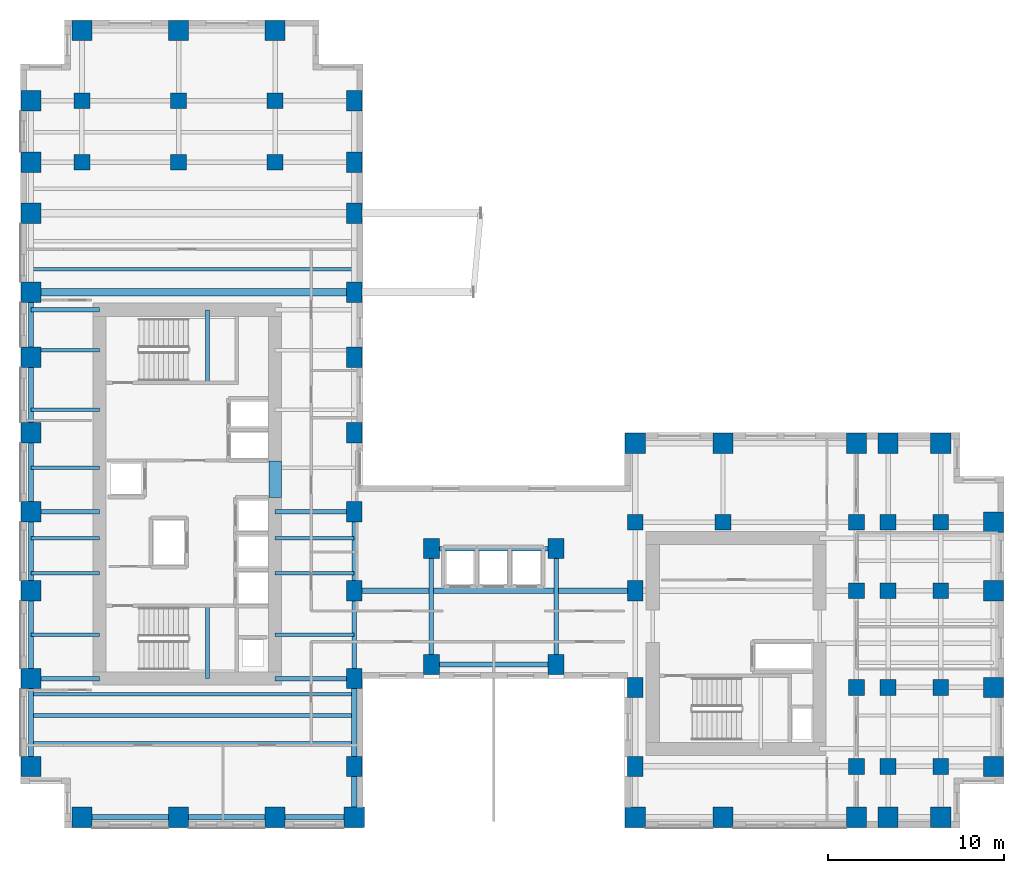
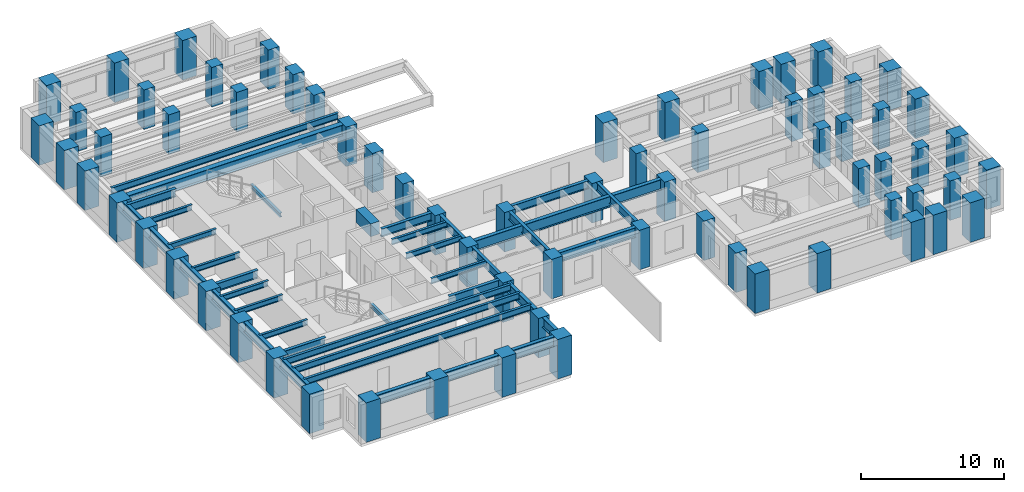
# One storey, part 1 of 14: 68 columns, 40 beams.
"""IFC4 building model written with IfcOpenShell, lengths in metres."""

from ifc_helpers import new_model, si_unit, direction, frame, origin, origin_2d, place, context, subcontext, project, spatial, rectangle, i_section, extrude, source, transform, mapped, material, material_profile, profile_set, type_object, element, save


model = new_model("IFC4")

# Units and contexts
model_context = context("Model", 3, precision=1e-05, world=origin(), true_north=direction((0.0, 1.0)))
body_context = subcontext(model_context, "Body", "Model", "MODEL_VIEW")
ifc_project = project(units=[si_unit("LENGTHUNIT", "METRE"), si_unit("AREAUNIT", "SQUARE_METRE"), si_unit("VOLUMEUNIT", "CUBIC_METRE"), si_unit("PLANEANGLEUNIT", "RADIAN"), si_unit("MASSUNIT", "GRAM", prefix="KILO")], contexts=[model_context])

# Site, building, storey
site_placement = place(None, origin())
site = spatial("IfcSite", under=ifc_project, at=site_placement, CompositionType="ELEMENT")
building_placement = place(site_placement, origin())
building = spatial("IfcBuilding", under=site, at=building_placement, Name="Kharzan Plaza Tower", CompositionType="ELEMENT")
storey_placement = place(building_placement, frame((0.0, 0.0, 124.199951171875)))
storey = spatial("IfcBuildingStorey", under=building, at=storey_placement, Name="L33", CompositionType="ELEMENT", Elevation=124.199951171875)

# Columns
ifc_material_1 = material(Name="Concrete C50/60", Category="concrete")
ifc_material_profile_1 = material_profile(ifc_material_1, rectangle(XDim=0.89990234375, YDim=0.89990234375, at=origin_2d()), Name="RC-IC900x900")
ifc_profile_set_1 = profile_set([ifc_material_profile_1], Name="Concrete C50/60")
column_type_1 = type_object("IfcColumnType", Name="COL-IC900", PredefinedType="COLUMN", material=ifc_profile_set_1)
shared_shape_1 = source(origin(), body_context, "Body", "SweptSolid", [
    extrude(rectangle(XDim=0.89990234375, YDim=0.89990234375, at=origin_2d()), origin(), (0.0, 0.0, 1.0), 3.380126953125),
])
for number, where, z_axis, x_axis, name in (
    (1, (47.60009765625, 13.5, 0.0), (0.0, 0.0, 1.0), (1.0, 0.0, 0.0), "L33 Structural Column TCBI-135"),
    (2, (47.60009765625, 3.5, 0.0), (0.0, 0.0, 1.0), (1.0, 0.0, 0.0), "L33 Structural Column TCBI-35"),
    (3, (47.60009765625, 8.0, 0.0), (0.0, 0.0, 1.0), (1.0, 0.0, 0.0), "L33 Structural Column TCBI-80"),
    (4, (35.0, 17.39990234375, 0.0), (0.0, 0.0, 1.0), (1.0, 0.0, 0.0), "L33 Structural Column TCBN-350-174"),
    (5, (40.0, 17.39990234375, 0.0), (0.0, 0.0, 1.0), (1.0, 0.0, 0.0), "L33 Structural Column TCBN-400-174"),
    (6, (47.60009765625, 17.39990234375, 0.0), (0.0, 0.0, 1.0), (1.0, 0.0, 0.0), "L33 Structural Column TCBN-476-174"),
    (7, (49.39990234375, 13.5, 0.0), (0.0, 0.0, 1.0), (1.0, 0.0, 0.0), "L33 Structural Column TCE-494-135"),
    (8, (49.39990234375, 17.39990234375, 0.0), (0.0, 0.0, 1.0), (1.0, 0.0, 0.0), "L33 Structural Column TCE-494-174"),
    (9, (49.39990234375, 3.5, 0.0), (0.0, 0.0, 1.0), (1.0, 0.0, 0.0), "L33 Structural Column TCE-494-35"),
    (10, (49.39990234375, 8.0, 0.0), (0.0, 0.0, 1.0), (1.0, 0.0, 0.0), "L33 Structural Column TCE-494-80"),
    (11, (52.39990234375, 13.5, 0.0), (0.0, 0.0, 1.0), (1.0, 0.0, 0.0), "L33 Structural Column TCE-524-135"),
    (12, (52.39990234375, 17.39990234375, 0.0), (0.0, 0.0, 1.0), (1.0, 0.0, 0.0), "L33 Structural Column TCE-524-174"),
    (13, (52.39990234375, 3.5, 0.0), (0.0, 0.0, 1.0), (1.0, 0.0, 0.0), "L33 Structural Column TCE-524-35"),
    (14, (52.39990234375, 8.0, 0.0), (0.0, 0.0, 1.0), (1.0, 0.0, 0.0), "L33 Structural Column TCE-524-80"),
    (15, (14.5, 37.89990234375, 0.0), (0.0, 0.0, 1.0), (1.0, 0.0, 0.0), "L33 Structural Column TCN-145-379"),
    (16, (14.5, 41.39990234375, 0.0), (0.0, 0.0, 1.0), (1.0, 0.0, 0.0), "L33 Structural Column TCN-145-414"),
    (17, (3.5, 37.89990234375, 0.0), (0.0, 0.0, 1.0), (1.0, 0.0, 0.0), "L33 Structural Column TCN-35-379"),
    (18, (3.5, 41.39990234375, 0.0), (0.0, 0.0, 1.0), (1.0, 0.0, 0.0), "L33 Structural Column TCN-35-414"),
    (19, (9.0, 37.89990234375, 0.0), (0.0, 0.0, 1.0), (1.0, 0.0, 0.0), "L33 Structural Column TCN-90-379"),
    (20, (9.0, 41.39990234375, 0.0), (0.0, 0.0, 1.0), (1.0, 0.0, 0.0), "L33 Structural Column TCN-90-414"),
):
    element("IfcColumn", number, at=place(storey_placement, frame(where, z_axis=z_axis, x_axis=x_axis)), inside=storey, type_object=column_type_1, Name=name, PredefinedType="COLUMN", context=body_context, shape_type="MappedRepresentation", body=[
        mapped(shared_shape_1, transform((0.0, 0.0, 0.0), x_axis=(1.0, 0.0, 0.0), y_axis=(0.0, 1.0, 0.0), z_axis=(0.0, 0.0, 1.0))),
    ])
ifc_material_2 = material(Name="Concrete C60/75", Category="concrete")
ifc_material_profile_2 = material_profile(ifc_material_2, rectangle(XDim=0.89990234375, YDim=1.14990234375, at=origin_2d()), Name="RC-SC1150x900")
ifc_profile_set_2 = profile_set([ifc_material_profile_2], Name="Concrete C60/75")
column_type_2 = type_object("IfcColumnType", Name="COL-SC1150", PredefinedType="COLUMN", material=ifc_profile_set_2)
shared_shape_2 = source(origin(), body_context, "Body", "SweptSolid", [
    extrude(rectangle(XDim=0.89990234375, YDim=1.14990234375, at=origin_2d()), origin(), (0.0, 0.0, 1.0), 3.380126953125),
])
for number, where, z_axis, x_axis, name in (
    (21, (19.0, 13.5, 0.0), (0.0, 0.0, 1.0), (1.0, 0.0, 0.0), "L33 Structural Column TCA-135"),
    (22, (19.0, 18.0, 0.0), (0.0, 0.0, 1.0), (1.0, 0.0, 0.0), "L33 Structural Column TCA-180"),
    (23, (19.0, 22.5, 0.0), (0.0, 0.0, 1.0), (1.0, 0.0, 0.0), "L33 Structural Column TCA-225"),
    (24, (19.0, 26.800048828125, 0.0), (0.0, 0.0, 1.0), (1.0, 0.0, 0.0), "L33 Structural Column TCA-268"),
    (25, (19.0, 30.5, 0.0), (0.0, 0.0, 1.0), (1.0, 0.0, 0.0), "L33 Structural Column TCA-305"),
    (26, (19.0, 3.5, 0.0), (0.0, 0.0, 1.0), (1.0, 0.0, 0.0), "L33 Structural Column TCA-35"),
    (27, (19.0, 35.0, 0.0), (0.0, 0.0, 1.0), (1.0, 0.0, 0.0), "L33 Structural Column TCA-350"),
    (28, (19.0, 37.89990234375, 0.0), (0.0, 0.0, 1.0), (1.0, 0.0, 0.0), "L33 Structural Column TCA-379"),
    (29, (19.0, 41.39990234375, 0.0), (0.0, 0.0, 1.0), (1.0, 0.0, 0.0), "L33 Structural Column TCA-414"),
    (30, (19.0, 8.5, 0.0), (0.0, 0.0, 1.0), (1.0, 0.0, 0.0), "L33 Structural Column TCA-85"),
    (31, (35.0, 13.5, 0.0), (0.0, 0.0, 1.0), (1.0, 0.0, 0.0), "L33 Structural Column TCBS-135"),
    (32, (35.0, 3.5, 0.0), (0.0, 0.0, 1.0), (1.0, 0.0, 0.0), "L33 Structural Column TCBS-35"),
    (33, (35.0, 8.0, 0.0), (0.0, 0.0, 1.0), (1.0, 0.0, 0.0), "L33 Structural Column TCBS-80"),
    (34, (23.39990234375, 15.89990234375, 0.0), (0.0, 0.0, 1.0), (1.0, 0.0, 0.0), "L33 Structural Column TCSP-234-159"),
    (35, (23.39990234375, 9.300048828125, 0.0), (0.0, 0.0, 1.0), (1.0, 0.0, 0.0), "L33 Structural Column TCSP-234-93"),
    (36, (30.5, 15.89990234375, 0.0), (0.0, 0.0, 1.0), (1.0, 0.0, 0.0), "L33 Structural Column TCSP-305-159"),
    (37, (30.5, 9.300048828125, 0.0), (0.0, 0.0, 1.0), (1.0, 0.0, 0.0), "L33 Structural Column TCSP-305-93"),
):
    element("IfcColumn", number, at=place(storey_placement, frame(where, z_axis=z_axis, x_axis=x_axis)), inside=storey, type_object=column_type_2, Name=name, PredefinedType="COLUMN", context=body_context, shape_type="MappedRepresentation", body=[
        mapped(shared_shape_2, transform((0.0, 0.0, 0.0), x_axis=(1.0, 0.0, 0.0), y_axis=(0.0, 1.0, 0.0), z_axis=(0.0, 0.0, 1.0))),
    ])
ifc_material_profile_3 = material_profile(ifc_material_2, rectangle(XDim=1.14990234375, YDim=1.14990234375, at=origin_2d()), Name="RC-TC1150x1150")
ifc_profile_set_3 = profile_set([ifc_material_profile_3], Name="Concrete C60/75")
column_type_3 = type_object("IfcColumnType", Name="COL-TC1150", PredefinedType="COLUMN", material=ifc_profile_set_3)
shared_shape_3 = source(origin(), body_context, "Body", "SweptSolid", [
    extrude(rectangle(XDim=1.14990234375, YDim=1.14990234375, at=origin_2d()), origin(), (0.0, 0.0, 1.0), 3.380126953125),
])
for number, where, z_axis, x_axis, name in (
    (38, (35.0, 21.89990234375, 0.0), (0.0, 0.0, 1.0), (1.0, 0.0, 0.0), "L33 Structural Column TCBN-350-219"),
    (39, (40.0, 21.89990234375, 0.0), (0.0, 0.0, 1.0), (1.0, 0.0, 0.0), "L33 Structural Column TCBN-400-219"),
    (40, (47.60009765625, 21.89990234375, 0.0), (0.0, 0.0, 1.0), (1.0, 0.0, 0.0), "L33 Structural Column TCBN-476-219"),
    (41, (49.39990234375, 21.89990234375, 0.0), (0.0, 0.0, 1.0), (1.0, 0.0, 0.0), "L33 Structural Column TCBN-494-219"),
    (42, (52.39990234375, 21.89990234375, 0.0), (0.0, 0.0, 1.0), (1.0, 0.0, 0.0), "L33 Structural Column TCBN-524-219"),
    (43, (55.39990234375, 13.5, 0.0), (0.0, 0.0, 1.0), (1.0, 0.0, 0.0), "L33 Structural Column TCE-554-135"),
    (44, (55.39990234375, 17.39990234375, 0.0), (0.0, 0.0, 1.0), (1.0, 0.0, 0.0), "L33 Structural Column TCE-554-174"),
    (45, (55.39990234375, 3.5, 0.0), (0.0, 0.0, 1.0), (1.0, 0.0, 0.0), "L33 Structural Column TCE-554-35"),
    (46, (55.39990234375, 8.0, 0.0), (0.0, 0.0, 1.0), (1.0, 0.0, 0.0), "L33 Structural Column TCE-554-80"),
    (47, (14.5, 45.39990234375, 0.0), (0.0, 0.0, 1.0), (1.0, 0.0, 0.0), "L33 Structural Column TCN-145-454"),
    (48, (3.5, 45.39990234375, 0.0), (0.0, 0.0, 1.0), (1.0, 0.0, 0.0), "L33 Structural Column TCN-35-454"),
    (49, (9.0, 45.39990234375, 0.0), (0.0, 0.0, 1.0), (1.0, 0.0, 0.0), "L33 Structural Column TCN-90-454"),
    (50, (14.5, 0.60009765625, 0.0), (0.0, 0.0, 1.0), (1.0, 0.0, 0.0), "L33 Structural Column TCS-145"),
    (51, (19.0, 0.60009765625, 0.0), (0.0, 0.0, 1.0), (1.0, 0.0, 0.0), "L33 Structural Column TCS-190"),
    (52, (3.5, 0.60009765625, 0.0), (0.0, 0.0, 1.0), (1.0, 0.0, 0.0), "L33 Structural Column TCS-35"),
    (53, (35.0, 0.60009765625, 0.0), (0.0, 0.0, 1.0), (1.0, 0.0, 0.0), "L33 Structural Column TCS-350"),
    (54, (40.0, 0.60009765625, 0.0), (0.0, 0.0, 1.0), (1.0, 0.0, 0.0), "L33 Structural Column TCS-400"),
    (55, (47.60009765625, 0.60009765625, 0.0), (0.0, 0.0, 1.0), (1.0, 0.0, 0.0), "L33 Structural Column TCS-476"),
    (56, (49.39990234375, 0.60009765625, 0.0), (0.0, 0.0, 1.0), (1.0, 0.0, 0.0), "L33 Structural Column TCS-494"),
    (57, (52.39990234375, 0.60009765625, 0.0), (0.0, 0.0, 1.0), (1.0, 0.0, 0.0), "L33 Structural Column TCS-524"),
    (58, (9.0, 0.60009765625, 0.0), (0.0, 0.0, 1.0), (1.0, 0.0, 0.0), "L33 Structural Column TCS-90"),
    (59, (0.60009765625, 13.5, 0.0), (0.0, 0.0, 1.0), (1.0, 0.0, 0.0), "L33 Structural Column TCW-135"),
    (60, (0.60009765625, 18.0, 0.0), (0.0, 0.0, 1.0), (1.0, 0.0, 0.0), "L33 Structural Column TCW-180"),
    (61, (0.60009765625, 22.5, 0.0), (0.0, 0.0, 1.0), (1.0, 0.0, 0.0), "L33 Structural Column TCW-225"),
    (62, (0.60009765625, 26.800048828125, 0.0), (0.0, 0.0, 1.0), (1.0, 0.0, 0.0), "L33 Structural Column TCW-268"),
    (63, (0.60009765625, 30.5, 0.0), (0.0, 0.0, 1.0), (1.0, 0.0, 0.0), "L33 Structural Column TCW-305"),
    (64, (0.60009765625, 3.5, 0.0), (0.0, 0.0, 1.0), (1.0, 0.0, 0.0), "L33 Structural Column TCW-35"),
    (65, (0.60009765625, 35.0, 0.0), (0.0, 0.0, 1.0), (1.0, 0.0, 0.0), "L33 Structural Column TCW-350"),
    (66, (0.60009765625, 37.89990234375, 0.0), (0.0, 0.0, 1.0), (1.0, 0.0, 0.0), "L33 Structural Column TCW-379"),
    (67, (0.60009765625, 41.39990234375, 0.0), (0.0, 0.0, 1.0), (1.0, 0.0, 0.0), "L33 Structural Column TCW-414"),
    (68, (0.60009765625, 8.5, 0.0), (0.0, 0.0, 1.0), (1.0, 0.0, 0.0), "L33 Structural Column TCW-85"),
):
    element("IfcColumn", number, at=place(storey_placement, frame(where, z_axis=z_axis, x_axis=x_axis)), inside=storey, type_object=column_type_3, Name=name, PredefinedType="COLUMN", context=body_context, shape_type="MappedRepresentation", body=[
        mapped(shared_shape_3, transform((0.0, 0.0, 0.0), x_axis=(1.0, 0.0, 0.0), y_axis=(0.0, 1.0, 0.0), z_axis=(0.0, 0.0, 1.0))),
    ])

# Beams
ifc_material_profile_4 = material_profile(ifc_material_2, rectangle(XDim=0.699951171875, YDim=1.10009765625, at=origin_2d()), Name="RC-CB1100x700")
ifc_profile_set_4 = profile_set([ifc_material_profile_4], Name="Concrete C60/75")
beam_type_1 = type_object("IfcBeamType", Name="BM-RCCB1100", PredefinedType="LINTEL", material=ifc_profile_set_4)
shared_shape_4 = source(origin(), body_context, "Body", "SweptSolid", [
    extrude(rectangle(XDim=0.699951171875, YDim=1.10009765625, at=origin_2d()), origin(), (0.0, 0.0, 1.0), 2.059814453125),
])
beam_1_placement = place(storey_placement, frame((14.5, 18.820068359375, 2.830078125), z_axis=(0.0, 1.0, 0.0), x_axis=(-1.0, 0.0, 0.0)))
element("IfcBeam", 69, at=beam_1_placement, inside=storey, type_object=beam_type_1, Name="L33 CORE-A RC coupling beam CB1", PredefinedType="LINTEL", context=body_context, shape_type="MappedRepresentation", body=[
    mapped(shared_shape_4, transform((0.0, 0.0, 0.0), x_axis=(1.0, 0.0, 0.0), y_axis=(0.0, 1.0, 0.0), z_axis=(0.0, 0.0, 1.0))),
])
ifc_material_3 = material(Name="Steel S355", Category="steel")
ifc_material_profile_5 = material_profile(ifc_material_3, i_section(OverallWidth=0.205078125, OverallDepth=0.35400390625, WebThickness=0.009521484375, FlangeThickness=0.016845703125, at=origin_2d()), Name="W360x79")
ifc_profile_set_5 = profile_set([ifc_material_profile_5], Name="Steel S355")
beam_type_2 = type_object("IfcBeamType", Name="BM-LNT360", PredefinedType="LINTEL", material=ifc_profile_set_5)
shared_shape_5 = source(origin(), body_context, "Body", "SweptSolid", [
    extrude(i_section(OverallWidth=0.205078125, OverallDepth=0.35400390625, WebThickness=0.009521484375, FlangeThickness=0.016845703125, at=origin_2d()), origin(), (0.0, 0.0, 1.0), 4.155029296875),
])
for number, where, z_axis, x_axis, name in (
    (70, (10.64990234375, 8.5, 1.423095703125), (0.0, 1.0, 0.0), (-1.0, 0.0, 0.0), "L33 Stair ST-1 Half-Landing Beam"),
    (71, (10.64990234375, 25.344970703125, 1.423095703125), (0.0, 1.0, 0.0), (-1.0, 0.0, 0.0), "L33 Stair ST-2 Half-Landing Beam"),
):
    element("IfcBeam", number, at=place(storey_placement, frame(where, z_axis=z_axis, x_axis=x_axis)), inside=storey, type_object=beam_type_2, Name=name, PredefinedType="LINTEL", context=body_context, shape_type="MappedRepresentation", body=[
        mapped(shared_shape_5, transform((0.0, 0.0, 0.0), x_axis=(1.0, 0.0, 0.0), y_axis=(0.0, 1.0, 0.0), z_axis=(0.0, 0.0, 1.0))),
    ])
ifc_material_profile_6 = material_profile(ifc_material_3, i_section(OverallWidth=0.304931640625, OverallDepth=0.9189453125, WebThickness=0.017333984375, FlangeThickness=0.02783203125, at=origin_2d()), Name="W920x253")
ifc_profile_set_6 = profile_set([ifc_material_profile_6], Name="Steel S355")
beam_type_3 = type_object("IfcBeamType", Name="BM-FG920B", PredefinedType="BEAM", material=ifc_profile_set_6)
shared_shape_6 = source(origin(), body_context, "Body", "SweptSolid", [
    extrude(i_section(OverallWidth=0.304931640625, OverallDepth=0.9189453125, WebThickness=0.017333984375, FlangeThickness=0.02783203125, at=origin_2d()), origin(), (0.0, 0.0, 1.0), 16.0),
])
beam_2_placement = place(storey_placement, frame((19.0, 13.5, 2.920654296875), z_axis=(1.0, 0.0, 0.0), x_axis=(0.0, 1.0, 0.0)))
element("IfcBeam", 72, at=beam_2_placement, inside=storey, type_object=beam_type_3, Name="L33 Primary Floor Girder", PredefinedType="BEAM", context=body_context, shape_type="MappedRepresentation", body=[
    mapped(shared_shape_6, transform((0.0, 0.0, 0.0), x_axis=(1.0, 0.0, 0.0), y_axis=(0.0, 1.0, 0.0), z_axis=(0.0, 0.0, 1.0))),
])
ifc_material_profile_7 = material_profile(ifc_material_3, i_section(OverallWidth=0.2099609375, OverallDepth=0.537109375, WebThickness=0.010986328125, FlangeThickness=0.017333984375, at=origin_2d()), Name="W530x101")
ifc_profile_set_7 = profile_set([ifc_material_profile_7], Name="Steel S355")
beam_type_4 = type_object("IfcBeamType", Name="BM-JST530B", PredefinedType="JOIST", material=ifc_profile_set_7)
shared_shape_7 = source(origin(), body_context, "Body", "SweptSolid", [
    extrude(i_section(OverallWidth=0.2099609375, OverallDepth=0.537109375, WebThickness=0.010986328125, FlangeThickness=0.017333984375, at=origin_2d()), origin(), (0.0, 0.0, 1.0), 18.39990234375),
])
for number, where, z_axis, x_axis, name in (
    (73, (0.60009765625, 4.800048828125, 3.111572265625), (1.0, 0.0, 0.0), (0.0, 1.0, 0.0), "L33 Wing A Composite Joist 01"),
    (74, (0.60009765625, 6.39990234375, 3.111572265625), (1.0, 0.0, 0.0), (0.0, 1.0, 0.0), "L33 Wing A Composite Joist 02"),
    (75, (0.60009765625, 7.60009765625, 3.111572265625), (1.0, 0.0, 0.0), (0.0, 1.0, 0.0), "L33 Wing A Composite Joist 03"),
    (76, (0.60009765625, 31.800048828125, 3.111572265625), (1.0, 0.0, 0.0), (0.0, 1.0, 0.0), "L33 Wing A Composite Joist 04"),
):
    element("IfcBeam", number, at=place(storey_placement, frame(where, z_axis=z_axis, x_axis=x_axis)), inside=storey, type_object=beam_type_4, Name=name, PredefinedType="JOIST", context=body_context, shape_type="MappedRepresentation", body=[
        mapped(shared_shape_7, transform((0.0, 0.0, 0.0), x_axis=(1.0, 0.0, 0.0), y_axis=(0.0, 1.0, 0.0), z_axis=(0.0, 0.0, 1.0))),
    ])
ifc_material_profile_8 = material_profile(ifc_material_3, i_section(OverallWidth=0.194091796875, OverallDepth=0.468994140625, WebThickness=0.011474609375, FlangeThickness=0.0205078125, at=origin_2d()), Name="W460x106")
ifc_profile_set_8 = profile_set([ifc_material_profile_8], Name="Steel S355")
beam_type_5 = type_object("IfcBeamType", Name="BM-JST460", PredefinedType="JOIST", material=ifc_profile_set_8)
shared_shape_8 = source(origin(), body_context, "Body", "SweptSolid", [
    extrude(i_section(OverallWidth=0.194091796875, OverallDepth=0.468994140625, WebThickness=0.011474609375, FlangeThickness=0.0205078125, at=origin_2d()), origin(), (0.0, 0.0, 1.0), 4.5),
])
for number, where, z_axis, x_axis, name in (
    (77, (14.5, 11.0, 3.1455078125), (1.0, 0.0, 0.0), (0.0, 1.0, 0.0), "L33 Wing A East Infill Joist 1"),
    (78, (14.5, 14.5, 3.1455078125), (1.0, 0.0, 0.0), (0.0, 1.0, 0.0), "L33 Wing A East Infill Joist 2"),
    (79, (14.5, 16.5, 3.1455078125), (1.0, 0.0, 0.0), (0.0, 1.0, 0.0), "L33 Wing A East Infill Joist 3"),
):
    element("IfcBeam", number, at=place(storey_placement, frame(where, z_axis=z_axis, x_axis=x_axis)), inside=storey, type_object=beam_type_5, Name=name, PredefinedType="JOIST", context=body_context, shape_type="MappedRepresentation", body=[
        mapped(shared_shape_8, transform((0.0, 0.0, 0.0), x_axis=(1.0, 0.0, 0.0), y_axis=(0.0, 1.0, 0.0), z_axis=(0.0, 0.0, 1.0))),
    ])
shared_shape_9 = source(origin(), body_context, "Body", "SweptSolid", [
    extrude(i_section(OverallWidth=0.194091796875, OverallDepth=0.468994140625, WebThickness=0.011474609375, FlangeThickness=0.0205078125, at=origin_2d()), origin(), (0.0, 0.0, 1.0), 3.89990234375),
])
for number, where, z_axis, x_axis, name in (
    (80, (0.60009765625, 11.0, 3.1455078125), (1.0, 0.0, 0.0), (0.0, 1.0, 0.0), "L33 Wing A West Infill Joist 1"),
    (81, (0.60009765625, 14.5, 3.1455078125), (1.0, 0.0, 0.0), (0.0, 1.0, 0.0), "L33 Wing A West Infill Joist 2"),
    (82, (0.60009765625, 16.5, 3.1455078125), (1.0, 0.0, 0.0), (0.0, 1.0, 0.0), "L33 Wing A West Infill Joist 3"),
    (83, (0.60009765625, 20.5, 3.1455078125), (1.0, 0.0, 0.0), (0.0, 1.0, 0.0), "L33 Wing A West Infill Joist 4"),
    (84, (0.60009765625, 23.800048828125, 3.1455078125), (1.0, 0.0, 0.0), (0.0, 1.0, 0.0), "L33 Wing A West Infill Joist 5"),
    (85, (0.60009765625, 27.199951171875, 3.1455078125), (1.0, 0.0, 0.0), (0.0, 1.0, 0.0), "L33 Wing A West Infill Joist 6"),
):
    element("IfcBeam", number, at=place(storey_placement, frame(where, z_axis=z_axis, x_axis=x_axis)), inside=storey, type_object=beam_type_5, Name=name, PredefinedType="JOIST", context=body_context, shape_type="MappedRepresentation", body=[
        mapped(shared_shape_9, transform((0.0, 0.0, 0.0), x_axis=(1.0, 0.0, 0.0), y_axis=(0.0, 1.0, 0.0), z_axis=(0.0, 0.0, 1.0))),
    ])
ifc_material_profile_9 = material_profile(ifc_material_3, i_section(OverallWidth=0.41796875, OverallDepth=0.93701171875, WebThickness=0.019287109375, FlangeThickness=0.031982421875, at=origin_2d()), Name="W920x342")
ifc_profile_set_9 = profile_set([ifc_material_profile_9], Name="Steel S355")
beam_type_6 = type_object("IfcBeamType", Name="BM-ZTB920", PredefinedType="BEAM", material=ifc_profile_set_9)
shared_shape_10 = source(origin(), body_context, "Body", "SweptSolid", [
    extrude(i_section(OverallWidth=0.41796875, OverallDepth=0.93701171875, WebThickness=0.019287109375, FlangeThickness=0.031982421875, at=origin_2d()), origin(), (0.0, 0.0, 1.0), 18.39990234375),
])
beam_3_placement = place(storey_placement, frame((0.60009765625, 30.5, 2.91162109375), z_axis=(1.0, 0.0, 0.0), x_axis=(0.0, 1.0, 0.0)))
element("IfcBeam", 86, at=beam_3_placement, inside=storey, type_object=beam_type_6, Name="L33 Sky-Terrace Back-Span Girder ZTB1 (L34 G1)", PredefinedType="BEAM", context=body_context, shape_type="MappedRepresentation", body=[
    mapped(shared_shape_10, transform((0.0, 0.0, 0.0), x_axis=(1.0, 0.0, 0.0), y_axis=(0.0, 1.0, 0.0), z_axis=(0.0, 0.0, 1.0))),
])
ifc_material_profile_10 = material_profile(ifc_material_3, i_section(OverallWidth=0.25390625, OverallDepth=0.68798828125, WebThickness=0.01318359375, FlangeThickness=0.02099609375, at=origin_2d()), Name="W690x152")
ifc_profile_set_10 = profile_set([ifc_material_profile_10], Name="Steel S355")
beam_type_7 = type_object("IfcBeamType", Name="BM-FG690B", PredefinedType="BEAM", material=ifc_profile_set_10)
shared_shape_11 = source(origin(), body_context, "Body", "SweptSolid", [
    extrude(i_section(OverallWidth=0.25390625, OverallDepth=0.68798828125, WebThickness=0.01318359375, FlangeThickness=0.02099609375, at=origin_2d()), origin(), (0.0, 0.0, 1.0), 4.5),
])
for number, where, z_axis, x_axis, name in (
    (87, (14.5, 8.5, 3.0361328125), (1.0, 0.0, 0.0), (0.0, 1.0, 0.0), "L33 Core-A East Floor Girder 1"),
    (88, (14.5, 18.0, 3.0361328125), (1.0, 0.0, 0.0), (0.0, 1.0, 0.0), "L33 Core-A East Floor Girder 2"),
    (89, (19.0, 13.5, 3.0361328125), (0.0, 1.0, 0.0), (-1.0, 0.0, 0.0), "L33 Interior Frame Girder"),
):
    element("IfcBeam", number, at=place(storey_placement, frame(where, z_axis=z_axis, x_axis=x_axis)), inside=storey, type_object=beam_type_7, Name=name, PredefinedType="BEAM", context=body_context, shape_type="MappedRepresentation", body=[
        mapped(shared_shape_11, transform((0.0, 0.0, 0.0), x_axis=(1.0, 0.0, 0.0), y_axis=(0.0, 1.0, 0.0), z_axis=(0.0, 0.0, 1.0))),
    ])
shared_shape_12 = source(origin(), body_context, "Body", "SweptSolid", [
    extrude(i_section(OverallWidth=0.25390625, OverallDepth=0.68798828125, WebThickness=0.01318359375, FlangeThickness=0.02099609375, at=origin_2d()), origin(), (0.0, 0.0, 1.0), 3.89990234375),
])
for number, where, z_axis, x_axis, name in (
    (90, (0.60009765625, 8.5, 3.0361328125), (1.0, 0.0, 0.0), (0.0, 1.0, 0.0), "L33 Core-A West Floor Girder 1"),
    (91, (0.60009765625, 18.0, 3.0361328125), (1.0, 0.0, 0.0), (0.0, 1.0, 0.0), "L33 Core-A West Floor Girder 2"),
    (92, (0.60009765625, 29.5, 3.0361328125), (1.0, 0.0, 0.0), (0.0, 1.0, 0.0), "L33 Core-A West Floor Girder 3"),
):
    element("IfcBeam", number, at=place(storey_placement, frame(where, z_axis=z_axis, x_axis=x_axis)), inside=storey, type_object=beam_type_7, Name=name, PredefinedType="BEAM", context=body_context, shape_type="MappedRepresentation", body=[
        mapped(shared_shape_12, transform((0.0, 0.0, 0.0), x_axis=(1.0, 0.0, 0.0), y_axis=(0.0, 1.0, 0.0), z_axis=(0.0, 0.0, 1.0))),
    ])
shared_shape_13 = source(origin(), body_context, "Body", "SweptSolid", [
    extrude(i_section(OverallWidth=0.25390625, OverallDepth=0.68798828125, WebThickness=0.01318359375, FlangeThickness=0.02099609375, at=origin_2d()), origin(), (0.0, 0.0, 1.0), 5.0),
])
beam_4_placement = place(storey_placement, frame((19.0, 8.5, 3.0361328125), z_axis=(0.0, 1.0, 0.0), x_axis=(-1.0, 0.0, 0.0)))
element("IfcBeam", 93, at=beam_4_placement, inside=storey, type_object=beam_type_7, Name="L33 Interior Frame Girder", PredefinedType="BEAM", context=body_context, shape_type="MappedRepresentation", body=[
    mapped(shared_shape_13, transform((0.0, 0.0, 0.0), x_axis=(1.0, 0.0, 0.0), y_axis=(0.0, 1.0, 0.0), z_axis=(0.0, 0.0, 1.0))),
])
shared_shape_14 = source(origin(), body_context, "Body", "SweptSolid", [
    extrude(i_section(OverallWidth=0.25390625, OverallDepth=0.68798828125, WebThickness=0.01318359375, FlangeThickness=0.02099609375, at=origin_2d()), origin(), (0.0, 0.0, 1.0), 6.599853515625),
])
for number, where, z_axis, x_axis, name in (
    (94, (23.39990234375, 9.300048828125, 3.0361328125), (0.0, 1.0, 0.0), (-1.0, 0.0, 0.0), "L33 Interior Frame Girder"),
    (95, (30.5, 9.300048828125, 3.0361328125), (0.0, 1.0, 0.0), (-1.0, 0.0, 0.0), "L33 Interior Frame Girder"),
):
    element("IfcBeam", number, at=place(storey_placement, frame(where, z_axis=z_axis, x_axis=x_axis)), inside=storey, type_object=beam_type_7, Name=name, PredefinedType="BEAM", context=body_context, shape_type="MappedRepresentation", body=[
        mapped(shared_shape_14, transform((0.0, 0.0, 0.0), x_axis=(1.0, 0.0, 0.0), y_axis=(0.0, 1.0, 0.0), z_axis=(0.0, 0.0, 1.0))),
    ])
shared_shape_15 = source(origin(), body_context, "Body", "SweptSolid", [
    extrude(i_section(OverallWidth=0.25390625, OverallDepth=0.68798828125, WebThickness=0.01318359375, FlangeThickness=0.02099609375, at=origin_2d()), origin(), (0.0, 0.0, 1.0), 7.10009765625),
])
beam_5_placement = place(storey_placement, frame((23.39990234375, 15.89990234375, 3.0361328125), z_axis=(1.0, 0.0, 0.0), x_axis=(0.0, 1.0, 0.0)))
element("IfcBeam", 96, at=beam_5_placement, inside=storey, type_object=beam_type_7, Name="L33 Primary Floor Girder", PredefinedType="BEAM", context=body_context, shape_type="MappedRepresentation", body=[
    mapped(shared_shape_15, transform((0.0, 0.0, 0.0), x_axis=(1.0, 0.0, 0.0), y_axis=(0.0, 1.0, 0.0), z_axis=(0.0, 0.0, 1.0))),
])
ifc_material_profile_11 = material_profile(ifc_material_3, i_section(OverallWidth=0.299072265625, OverallDepth=0.845947265625, WebThickness=0.015380859375, FlangeThickness=0.0244140625, at=origin_2d()), Name="W840x210")
ifc_profile_set_11 = profile_set([ifc_material_profile_11], Name="Steel S355")
beam_type_8 = type_object("IfcBeamType", Name="BM-SP840B", PredefinedType="SPANDREL", material=ifc_profile_set_11)
shared_shape_16 = source(origin(), body_context, "Body", "SweptSolid", [
    extrude(i_section(OverallWidth=0.299072265625, OverallDepth=0.845947265625, WebThickness=0.015380859375, FlangeThickness=0.0244140625, at=origin_2d()), origin(), (0.0, 0.0, 1.0), 5.0),
])
for number, where, z_axis, x_axis, name in (
    (97, (0.60009765625, 3.5, 2.95703125), (0.0, 1.0, 0.0), (-1.0, 0.0, 0.0), "L33 Perimeter Tube Spandrel"),
    (98, (0.60009765625, 8.5, 2.95703125), (0.0, 1.0, 0.0), (-1.0, 0.0, 0.0), "L33 Perimeter Tube Spandrel"),
    (99, (19.0, 3.5, 2.95703125), (0.0, 1.0, 0.0), (-1.0, 0.0, 0.0), "L33 Perimeter Tube Spandrel"),
):
    element("IfcBeam", number, at=place(storey_placement, frame(where, z_axis=z_axis, x_axis=x_axis)), inside=storey, type_object=beam_type_8, Name=name, PredefinedType="SPANDREL", context=body_context, shape_type="MappedRepresentation", body=[
        mapped(shared_shape_16, transform((0.0, 0.0, 0.0), x_axis=(1.0, 0.0, 0.0), y_axis=(0.0, 1.0, 0.0), z_axis=(0.0, 0.0, 1.0))),
    ])
shared_shape_17 = source(origin(), body_context, "Body", "SweptSolid", [
    extrude(i_section(OverallWidth=0.299072265625, OverallDepth=0.845947265625, WebThickness=0.015380859375, FlangeThickness=0.0244140625, at=origin_2d()), origin(), (0.0, 0.0, 1.0), 4.5),
])
for number, where, z_axis, x_axis, name in (
    (100, (0.60009765625, 13.5, 2.95703125), (0.0, 1.0, 0.0), (-1.0, 0.0, 0.0), "L33 Perimeter Tube Spandrel"),
    (101, (0.60009765625, 18.0, 2.95703125), (0.0, 1.0, 0.0), (-1.0, 0.0, 0.0), "L33 Perimeter Tube Spandrel"),
    (102, (14.5, 0.60009765625, 2.95703125), (1.0, 0.0, 0.0), (0.0, 1.0, 0.0), "L33 Perimeter Tube Spandrel"),
):
    element("IfcBeam", number, at=place(storey_placement, frame(where, z_axis=z_axis, x_axis=x_axis)), inside=storey, type_object=beam_type_8, Name=name, PredefinedType="SPANDREL", context=body_context, shape_type="MappedRepresentation", body=[
        mapped(shared_shape_17, transform((0.0, 0.0, 0.0), x_axis=(1.0, 0.0, 0.0), y_axis=(0.0, 1.0, 0.0), z_axis=(0.0, 0.0, 1.0))),
    ])
shared_shape_18 = source(origin(), body_context, "Body", "SweptSolid", [
    extrude(i_section(OverallWidth=0.299072265625, OverallDepth=0.845947265625, WebThickness=0.015380859375, FlangeThickness=0.0244140625, at=origin_2d()), origin(), (0.0, 0.0, 1.0), 4.300048828125),
])
beam_6_placement = place(storey_placement, frame((0.60009765625, 22.5, 2.95703125), z_axis=(0.0, 1.0, 0.0), x_axis=(-1.0, 0.0, 0.0)))
element("IfcBeam", 103, at=beam_6_placement, inside=storey, type_object=beam_type_8, Name="L33 Perimeter Tube Spandrel", PredefinedType="SPANDREL", context=body_context, shape_type="MappedRepresentation", body=[
    mapped(shared_shape_18, transform((0.0, 0.0, 0.0), x_axis=(1.0, 0.0, 0.0), y_axis=(0.0, 1.0, 0.0), z_axis=(0.0, 0.0, 1.0))),
])
shared_shape_19 = source(origin(), body_context, "Body", "SweptSolid", [
    extrude(i_section(OverallWidth=0.299072265625, OverallDepth=0.845947265625, WebThickness=0.015380859375, FlangeThickness=0.0244140625, at=origin_2d()), origin(), (0.0, 0.0, 1.0), 3.699951171875),
])
beam_7_placement = place(storey_placement, frame((0.60009765625, 26.800048828125, 2.95703125), z_axis=(0.0, 1.0, 0.0), x_axis=(-1.0, 0.0, 0.0)))
element("IfcBeam", 104, at=beam_7_placement, inside=storey, type_object=beam_type_8, Name="L33 Perimeter Tube Spandrel", PredefinedType="SPANDREL", context=body_context, shape_type="MappedRepresentation", body=[
    mapped(shared_shape_19, transform((0.0, 0.0, 0.0), x_axis=(1.0, 0.0, 0.0), y_axis=(0.0, 1.0, 0.0), z_axis=(0.0, 0.0, 1.0))),
])
shared_shape_20 = source(origin(), body_context, "Body", "SweptSolid", [
    extrude(i_section(OverallWidth=0.299072265625, OverallDepth=0.845947265625, WebThickness=0.015380859375, FlangeThickness=0.0244140625, at=origin_2d()), origin(), (0.0, 0.0, 1.0), 2.89990234375),
])
beam_8_placement = place(storey_placement, frame((19.0, 0.60009765625, 2.95703125), z_axis=(0.0, 1.0, 0.0), x_axis=(-1.0, 0.0, 0.0)))
element("IfcBeam", 105, at=beam_8_placement, inside=storey, type_object=beam_type_8, Name="L33 Perimeter Tube Spandrel", PredefinedType="SPANDREL", context=body_context, shape_type="MappedRepresentation", body=[
    mapped(shared_shape_20, transform((0.0, 0.0, 0.0), x_axis=(1.0, 0.0, 0.0), y_axis=(0.0, 1.0, 0.0), z_axis=(0.0, 0.0, 1.0))),
])
shared_shape_21 = source(origin(), body_context, "Body", "SweptSolid", [
    extrude(i_section(OverallWidth=0.299072265625, OverallDepth=0.845947265625, WebThickness=0.015380859375, FlangeThickness=0.0244140625, at=origin_2d()), origin(), (0.0, 0.0, 1.0), 5.5),
])
for number, where, z_axis, x_axis, name in (
    (106, (3.5, 0.60009765625, 2.95703125), (1.0, 0.0, 0.0), (0.0, 1.0, 0.0), "L33 Perimeter Tube Spandrel"),
    (107, (9.0, 0.60009765625, 2.95703125), (1.0, 0.0, 0.0), (0.0, 1.0, 0.0), "L33 Perimeter Tube Spandrel"),
):
    element("IfcBeam", number, at=place(storey_placement, frame(where, z_axis=z_axis, x_axis=x_axis)), inside=storey, type_object=beam_type_8, Name=name, PredefinedType="SPANDREL", context=body_context, shape_type="MappedRepresentation", body=[
        mapped(shared_shape_21, transform((0.0, 0.0, 0.0), x_axis=(1.0, 0.0, 0.0), y_axis=(0.0, 1.0, 0.0), z_axis=(0.0, 0.0, 1.0))),
    ])
shared_shape_22 = source(origin(), body_context, "Body", "SweptSolid", [
    extrude(i_section(OverallWidth=0.299072265625, OverallDepth=0.845947265625, WebThickness=0.015380859375, FlangeThickness=0.0244140625, at=origin_2d()), origin(), (0.0, 0.0, 1.0), 7.10009765625),
])
beam_9_placement = place(storey_placement, frame((23.39990234375, 9.300048828125, 2.95703125), z_axis=(1.0, 0.0, 0.0), x_axis=(0.0, 1.0, 0.0)))
element("IfcBeam", 108, at=beam_9_placement, inside=storey, type_object=beam_type_8, Name="L33 Perimeter Tube Spandrel", PredefinedType="SPANDREL", context=body_context, shape_type="MappedRepresentation", body=[
    mapped(shared_shape_22, transform((0.0, 0.0, 0.0), x_axis=(1.0, 0.0, 0.0), y_axis=(0.0, 1.0, 0.0), z_axis=(0.0, 0.0, 1.0))),
])

save(model, "model.ifc")
